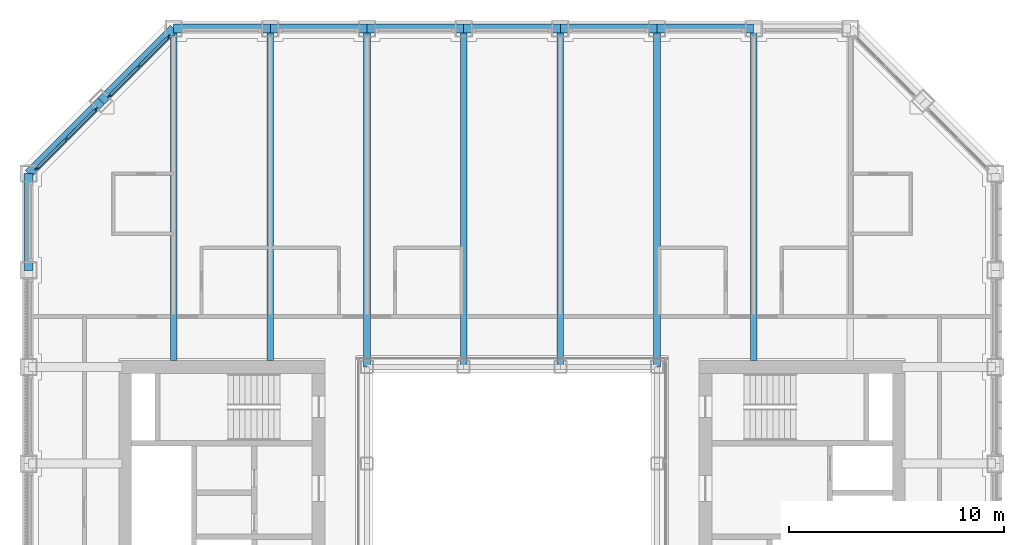
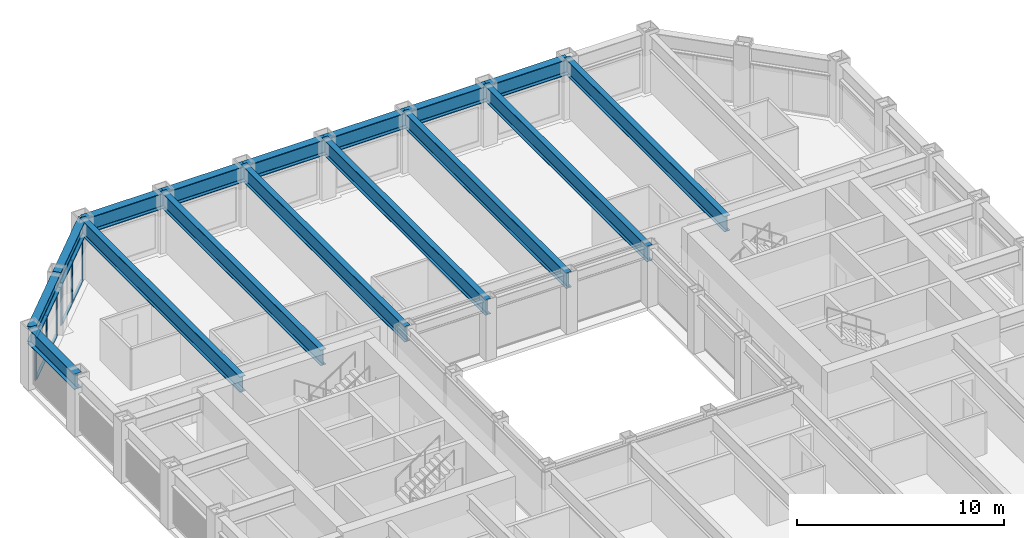
# One storey, part 7 of 17: 16 beams, 14 members, 2 elements without a shape of their own.
"""IFC4 building model written with IfcOpenShell, lengths in metres."""

import ifcopenshell
import ifcopenshell.guid

model = None  # the IFC model being written
_history = None  # IfcOwnerHistory: only IFC2X3 demands one
_inside = {}  # id of a spatial element -> (the spatial element, [elements in it])
_under = {}  # id of a project, library or spatial element -> (it, [spatial elements below it])
_declared = {}  # id of a project -> (the project, [libraries it declares])
_typed = {}  # id of a type object -> (the type object, [elements of that type])
_made_of = {}  # id of a material, layer set ... -> (it, [elements and type objects made of it])


def new_model(schema):
    """Start an empty IFC model of exactly this schema.

    Asked for "IFC4X3", IfcOpenShell would pick the latest addendum, in which some entities
    have other attributes; the version numbers below select the first issue.
    IFC2X3 requires an IfcOwnerHistory on every rooted entity: one is made here for all.
    """
    global model, _history
    if schema == "IFC4X3":
        model = ifcopenshell.file(schema_version=(4, 3, 0, 0))
    else:
        model = ifcopenshell.file(schema=schema)
    _inside.clear()
    _under.clear()
    _declared.clear()
    _typed.clear()
    _made_of.clear()
    _history = None
    if model.schema == "IFC2X3":
        org = make("IfcOrganization", Name="unknown")
        user = make(
            "IfcPersonAndOrganization",
            ThePerson=make("IfcPerson", FamilyName="unknown"),
            TheOrganization=org,
        )
        app = make(
            "IfcApplication",
            ApplicationDeveloper=org,
            Version="unknown",
            ApplicationFullName="unknown",
            ApplicationIdentifier="unknown",
        )
        _history = make(
            "IfcOwnerHistory",
            OwningUser=user,
            OwningApplication=app,
            ChangeAction="ADDED",
            CreationDate=0,
        )
    return model


def make(cls, **values):
    """One entity of the class cls with the attributes given. An attribute that is None is left unset."""
    return model.create_entity(
        cls, **{name: value for name, value in values.items() if value is not None}
    )


def rooted(cls, **values):
    """An entity with a GlobalId (a new one), such as an element, a storey or a relation."""
    return make(cls, GlobalId=ifcopenshell.guid.new(), OwnerHistory=_history, **values)


def si_unit(unit_type, name, prefix=None):
    """IfcSIUnit, for example si_unit("LENGTHUNIT", "METRE", prefix="MILLI")."""
    return make("IfcSIUnit", UnitType=unit_type, Prefix=prefix, Name=name)


def assignment(units):
    """IfcUnitAssignment: the units of a project."""
    return None if units is None else make("IfcUnitAssignment", Units=units)


def point(xyz):
    """IfcCartesianPoint."""
    return None if xyz is None else make("IfcCartesianPoint", Coordinates=xyz)


def direction(xyz):
    """IfcDirection."""
    return None if xyz is None else make("IfcDirection", DirectionRatios=xyz)


def frame(location, z_axis=None, x_axis=None):
    """IfcAxis2Placement3D, a coordinate frame: its origin and axes. An axis left out is left unset."""
    return make(
        "IfcAxis2Placement3D",
        Location=point(location),
        Axis=direction(z_axis),
        RefDirection=direction(x_axis),
    )


def frame_2d(location, x_axis=None):
    """IfcAxis2Placement2D, a coordinate frame in the plane: its origin and x axis."""
    return make(
        "IfcAxis2Placement2D", Location=point(location), RefDirection=direction(x_axis)
    )


def origin():
    """The frame at (0, 0, 0) with its axes left unset."""
    return frame((0.0, 0.0, 0.0))


def origin_2d():
    """The frame at (0, 0) in the plane with its x axis left unset."""
    return frame_2d((0.0, 0.0))


def place(relative_to, where):
    """IfcLocalPlacement: puts the frame where relative to a parent placement (None: the world)."""
    return make(
        "IfcLocalPlacement", PlacementRelTo=relative_to, RelativePlacement=where
    )


def context(
    kind, dimensions, precision=None, world=None, true_north=None, identifier=None
):
    """IfcGeometricRepresentationContext, for example the 3D "Model" context."""
    return make(
        "IfcGeometricRepresentationContext",
        ContextIdentifier=identifier,
        ContextType=kind,
        CoordinateSpaceDimension=dimensions,
        Precision=precision,
        WorldCoordinateSystem=world,
        TrueNorth=true_north,
    )


def subcontext(parent, identifier, kind, view, scale=None):
    """IfcGeometricRepresentationSubContext, for example "Body" below "Model"."""
    return make(
        "IfcGeometricRepresentationSubContext",
        ContextIdentifier=identifier,
        ContextType=kind,
        ParentContext=parent,
        TargetScale=scale,
        TargetView=view,
    )


def project(units=None, contexts=None):
    """IfcProject with its units and contexts."""
    return rooted(
        "IfcProject",
        Name="project",
        RepresentationContexts=contexts,
        UnitsInContext=assignment(units),
    )


def spatial(cls, under=None, at=None, **own):
    """A site, building, storey or space (cls), placed at a placement, below another one or the project."""
    s = rooted(cls, ObjectPlacement=at, **own)
    if under is not None:
        _under.setdefault(under.id(), (under, []))[1].append(s)
    return s


def profile(cls, at=None, kind="AREA", **sizes):
    """A parametric profile (cls). Its sizes go by their IFC names, for example OverallWidth=200.0."""
    return make(cls, ProfileType=kind, Position=at, **sizes)


def rectangle(**sizes):
    """IfcRectangleProfileDef."""
    return profile("IfcRectangleProfileDef", **sizes)


def i_section(**sizes):
    """IfcIShapeProfileDef."""
    return profile("IfcIShapeProfileDef", **sizes)


def extrude(swept, where, along, depth):
    """IfcExtrudedAreaSolid: the profile swept, set in the frame where, extruded along a direction by depth."""
    return make(
        "IfcExtrudedAreaSolid",
        SweptArea=swept,
        Position=where,
        ExtrudedDirection=direction(along),
        Depth=depth,
    )


def shape(context_of_items, identifier, shape_type, items):
    """IfcShapeRepresentation: the items that make up one representation, for example the "Body"."""
    return make(
        "IfcShapeRepresentation",
        ContextOfItems=context_of_items,
        RepresentationIdentifier=identifier,
        RepresentationType=shape_type,
        Items=items,
    )


def material(Name=None, Category=None):
    """IfcMaterial."""
    return make("IfcMaterial", Name=Name, Category=Category)


def material_profile(
    of_material, cross_section, Name=None, Category=None, Priority=None
):
    """IfcMaterialProfile: a cross section and its material."""
    return make(
        "IfcMaterialProfile",
        Name=Name,
        Material=of_material,
        Profile=cross_section,
        Priority=Priority,
        Category=Category,
    )


def profile_set(profiles, Name=None, composite=None):
    """IfcMaterialProfileSet."""
    return make(
        "IfcMaterialProfileSet",
        Name=Name,
        MaterialProfiles=profiles,
        CompositeProfile=composite,
    )


def made_of(thing, what):
    """Note that an element or type object is made of a material, layer set ...; save() writes the relation."""
    if what is not None:
        _made_of.setdefault(what.id(), (what, []))[1].append(thing)
    return thing


def type_object(cls, material=None, **own):
    """A type object (cls), such as IfcWallType, which elements share."""
    return made_of(rooted(cls, **own), material)


def element(
    cls,
    number,
    at=None,
    inside=None,
    cuts=None,
    type_object=None,
    material=None,
    context=None,
    identifier="Body",
    shape_type=None,
    held_by="IfcProductDefinitionShape",
    body=None,
    shapes=None,
    **own,
):
    """One element of the class cls, such as IfcWall. Its Tag is "e" and its number.

    at: its placement. inside: the storey or other place that contains it. cuts: it is an
    opening in that element (IfcRelVoidsElement). A single representation is given by context,
    identifier, shape_type and body (its items); several are given by shapes. held_by: the class
    of the entity that holds the representations. save() writes the other relations.
    """
    e = rooted(cls, Tag="e%d" % number, ObjectPlacement=at, **own)
    if body is not None:
        shapes = [shape(context, identifier, shape_type, body)]
    if shapes is not None:
        e.Representation = make(held_by, Representations=shapes)
    if inside is not None:
        _inside.setdefault(inside.id(), (inside, []))[1].append(e)
    if cuts is not None:
        rooted(
            "IfcRelVoidsElement", RelatingBuildingElement=cuts, RelatedOpeningElement=e
        )
    if type_object is not None:
        _typed.setdefault(type_object.id(), (type_object, []))[1].append(e)
    return made_of(e, material)


def aggregate(whole, parts):
    """IfcRelAggregates: a whole, such as a stair, and the parts it consists of."""
    return rooted("IfcRelAggregates", RelatingObject=whole, RelatedObjects=parts)


def save(model, path):
    """Write the relations noted so far, then the file.

    IfcRelAggregates (storeys below a building ...), IfcRelContainedInSpatialStructure (elements
    in a storey), IfcRelDefinesByType, IfcRelAssociatesMaterial and IfcRelDeclares: one each for
    every whole, place, type object, material and project.
    """
    for whole, parts in _under.values():
        aggregate(whole, parts)
    for where, things in _inside.values():
        rooted(
            "IfcRelContainedInSpatialStructure",
            RelatedElements=things,
            RelatingStructure=where,
        )
    for kind, things in _typed.values():
        rooted("IfcRelDefinesByType", RelatedObjects=things, RelatingType=kind)
    for what, things in _made_of.values():
        rooted("IfcRelAssociatesMaterial", RelatedObjects=things, RelatingMaterial=what)
    for by, libraries in _declared.values():
        rooted("IfcRelDeclares", RelatingContext=by, RelatedDefinitions=libraries)
    model.write(path)


model = new_model("IFC4")

# Units and contexts
model_context = context("Model", 3, precision=1e-05, world=origin(), true_north=direction((0.0, 1.0)))
body_context = subcontext(model_context, "Body", "Model", "MODEL_VIEW")
ifc_project = project(units=[si_unit("LENGTHUNIT", "METRE"), si_unit("AREAUNIT", "SQUARE_METRE"), si_unit("VOLUMEUNIT", "CUBIC_METRE"), si_unit("PLANEANGLEUNIT", "RADIAN"), si_unit("MASSUNIT", "GRAM", prefix="KILO")], contexts=[model_context])

# Site, building, storey
site_placement = place(None, origin())
site = spatial("IfcSite", under=ifc_project, at=site_placement, CompositionType="ELEMENT")
building_placement = place(site_placement, origin())
building = spatial("IfcBuilding", under=site, at=building_placement, Name="Msasa Ring Tower", CompositionType="ELEMENT")
storey_placement = place(building_placement, frame((0.0, 0.0, 132.800048828125)))
storey = spatial("IfcBuildingStorey", under=building, at=storey_placement, Name="L34", CompositionType="ELEMENT", Elevation=132.800048828125)

# Curtain wall, members
ifc_material_1 = material(Name="Aluminium curtain wall with clear glass", Category="aluminium")
curtain_wall_type = type_object("IfcCurtainWallType", Name="CW-C CHAMFER CORNER CURTAIN WALL", PredefinedType="NOTDEFINED", material=ifc_material_1)
curtain_wall_1_placement = place(storey_placement, origin())
curtain_wall_1 = element("IfcCurtainWall", 1, at=curtain_wall_1_placement, inside=storey, type_object=curtain_wall_type, Name="Chamfer corner curtain wall NW L34", PredefinedType="NOTDEFINED")
ifc_material_2 = material(Name="Aluminium mullion", Category="aluminium")
ifc_material_profile_1 = material_profile(ifc_material_2, rectangle(XDim=0.06494140625, YDim=0.179931640625, at=origin_2d()), Name="AL 65x180")
ifc_profile_set_1 = profile_set([ifc_material_profile_1], Name="Aluminium mullion")
member_type_1 = type_object("IfcMemberType", Name="CW-C MULLION 65x180", PredefinedType="MULLION", material=ifc_profile_set_1)
member_1_placement = place(storey_placement, frame((-19.36376953125, 18.744873046875, 0.0), z_axis=(0.0, 0.0, 1.0), x_axis=(0.707106781187, -0.707106781187, 0.0)))
member_1 = element("IfcMember", 2, at=member_1_placement, type_object=member_type_1, Name="CW-C mullion 1", PredefinedType="MULLION", context=body_context, shape_type="SweptSolid", body=[
    extrude(rectangle(XDim=0.06494140625, YDim=0.179931640625, at=origin_2d()), origin(), (0.0, 0.0, 1.0), 2.47900390625),
])
member_2_placement = place(storey_placement, frame((-20.74169921875, 17.36669921875, 0.0), z_axis=(0.0, 0.0, 1.0), x_axis=(0.707106781187, -0.707106781187, 0.0)))
member_2 = element("IfcMember", 3, at=member_2_placement, type_object=member_type_1, Name="CW-C mullion 2", PredefinedType="MULLION", context=body_context, shape_type="SweptSolid", body=[
    extrude(rectangle(XDim=0.06494140625, YDim=0.179931640625, at=origin_2d()), origin(), (0.0, 0.0, 1.0), 2.47900390625),
])
member_3_placement = place(storey_placement, frame((-22.119873046875, 15.98876953125, 0.0), z_axis=(0.0, 0.0, 1.0), x_axis=(0.707106781187, -0.707106781187, 0.0)))
member_3 = element("IfcMember", 4, at=member_3_placement, type_object=member_type_1, Name="CW-C mullion 3", PredefinedType="MULLION", context=body_context, shape_type="SweptSolid", body=[
    extrude(rectangle(XDim=0.06494140625, YDim=0.179931640625, at=origin_2d()), origin(), (0.0, 0.0, 1.0), 2.47900390625),
])

curtain_wall_2_placement = place(storey_placement, origin())
curtain_wall_2 = element("IfcCurtainWall", 5, at=curtain_wall_2_placement, inside=storey, type_object=curtain_wall_type, Name="Chamfer corner curtain wall NW L34", PredefinedType="NOTDEFINED")
member_4_placement = place(storey_placement, frame((-15.98876953125, 22.119873046875, 0.0), z_axis=(0.0, 0.0, 1.0), x_axis=(0.707106781187, -0.707106781187, 0.0)))
member_4 = element("IfcMember", 6, at=member_4_placement, type_object=member_type_1, Name="CW-C mullion 1", PredefinedType="MULLION", context=body_context, shape_type="SweptSolid", body=[
    extrude(rectangle(XDim=0.06494140625, YDim=0.179931640625, at=origin_2d()), origin(), (0.0, 0.0, 1.0), 2.47900390625),
])
member_5_placement = place(storey_placement, frame((-17.36669921875, 20.74169921875, 0.0), z_axis=(0.0, 0.0, 1.0), x_axis=(0.707106781187, -0.707106781187, 0.0)))
member_5 = element("IfcMember", 7, at=member_5_placement, type_object=member_type_1, Name="CW-C mullion 2", PredefinedType="MULLION", context=body_context, shape_type="SweptSolid", body=[
    extrude(rectangle(XDim=0.06494140625, YDim=0.179931640625, at=origin_2d()), origin(), (0.0, 0.0, 1.0), 2.47900390625),
])
member_6_placement = place(storey_placement, frame((-18.744873046875, 19.36376953125, 0.0), z_axis=(0.0, 0.0, 1.0), x_axis=(0.707106781187, -0.707106781187, 0.0)))
member_6 = element("IfcMember", 8, at=member_6_placement, type_object=member_type_1, Name="CW-C mullion 3", PredefinedType="MULLION", context=body_context, shape_type="SweptSolid", body=[
    extrude(rectangle(XDim=0.06494140625, YDim=0.179931640625, at=origin_2d()), origin(), (0.0, 0.0, 1.0), 2.47900390625),
])

# Member
ifc_material_3 = material(Name="Aluminium transom", Category="aluminium")
ifc_material_profile_2 = material_profile(ifc_material_3, rectangle(XDim=0.139892578125, YDim=0.06494140625, at=origin_2d()), Name="AL 65x140")
ifc_profile_set_2 = profile_set([ifc_material_profile_2], Name="Aluminium transom")
member_type_2 = type_object("IfcMemberType", Name="CW-C TRANSOM 65x140", PredefinedType="USERDEFINED", material=ifc_profile_set_2)
member_7_placement = place(storey_placement, frame((-19.38671875, 18.721923828125, 0.032470703125), z_axis=(-0.707106781187, -0.707106781187, 0.0), x_axis=(0.707106781187, -0.707106781187, 0.0)))
member_7 = element("IfcMember", 9, at=member_7_placement, type_object=member_type_2, Name="CW-C transom 1.1", ObjectType="TRANSOM", PredefinedType="USERDEFINED", context=body_context, shape_type="SweptSolid", body=[
    extrude(rectangle(XDim=0.139892578125, YDim=0.06494140625, at=origin_2d()), origin(), (0.0, 0.0, 1.0), 1.8837890625),
])

member_8_placement = place(storey_placement, frame((-19.38671875, 18.721923828125, 2.446533203125), z_axis=(-0.707106781187, -0.707106781187, 0.0), x_axis=(0.707106781187, -0.707106781187, 0.0)))
member_8 = element("IfcMember", 10, at=member_8_placement, type_object=member_type_2, Name="CW-C transom 1.2", ObjectType="TRANSOM", PredefinedType="USERDEFINED", context=body_context, shape_type="SweptSolid", body=[
    extrude(rectangle(XDim=0.139892578125, YDim=0.06494140625, at=origin_2d()), origin(), (0.0, 0.0, 1.0), 1.8837890625),
])

member_9_placement = place(storey_placement, frame((-20.764892578125, 17.34375, 0.032470703125), z_axis=(-0.707106781187, -0.707106781187, 0.0), x_axis=(0.707106781187, -0.707106781187, 0.0)))
member_9 = element("IfcMember", 11, at=member_9_placement, type_object=member_type_2, Name="CW-C transom 2.1", ObjectType="TRANSOM", PredefinedType="USERDEFINED", context=body_context, shape_type="SweptSolid", body=[
    extrude(rectangle(XDim=0.139892578125, YDim=0.06494140625, at=origin_2d()), origin(), (0.0, 0.0, 1.0), 1.8837890625),
])

member_10_placement = place(storey_placement, frame((-20.764892578125, 17.34375, 2.446533203125), z_axis=(-0.707106781187, -0.707106781187, 0.0), x_axis=(0.707106781187, -0.707106781187, 0.0)))
member_10 = element("IfcMember", 12, at=member_10_placement, type_object=member_type_2, Name="CW-C transom 2.2", ObjectType="TRANSOM", PredefinedType="USERDEFINED", context=body_context, shape_type="SweptSolid", body=[
    extrude(rectangle(XDim=0.139892578125, YDim=0.06494140625, at=origin_2d()), origin(), (0.0, 0.0, 1.0), 1.8837890625),
])

aggregate(curtain_wall_1, [member_1, member_2, member_3, member_7, member_8, member_9, member_10])

member_11_placement = place(storey_placement, frame((-16.01171875, 22.096923828125, 0.032470703125), z_axis=(-0.707106781187, -0.707106781187, 0.0), x_axis=(0.707106781187, -0.707106781187, 0.0)))
member_11 = element("IfcMember", 13, at=member_11_placement, type_object=member_type_2, Name="CW-C transom 1.1", ObjectType="TRANSOM", PredefinedType="USERDEFINED", context=body_context, shape_type="SweptSolid", body=[
    extrude(rectangle(XDim=0.139892578125, YDim=0.06494140625, at=origin_2d()), origin(), (0.0, 0.0, 1.0), 1.8837890625),
])

member_12_placement = place(storey_placement, frame((-16.01171875, 22.096923828125, 2.446533203125), z_axis=(-0.707106781187, -0.707106781187, 0.0), x_axis=(0.707106781187, -0.707106781187, 0.0)))
member_12 = element("IfcMember", 14, at=member_12_placement, type_object=member_type_2, Name="CW-C transom 1.2", ObjectType="TRANSOM", PredefinedType="USERDEFINED", context=body_context, shape_type="SweptSolid", body=[
    extrude(rectangle(XDim=0.139892578125, YDim=0.06494140625, at=origin_2d()), origin(), (0.0, 0.0, 1.0), 1.8837890625),
])

member_13_placement = place(storey_placement, frame((-17.389892578125, 20.71875, 0.032470703125), z_axis=(-0.707106781187, -0.707106781187, 0.0), x_axis=(0.707106781187, -0.707106781187, 0.0)))
member_13 = element("IfcMember", 15, at=member_13_placement, type_object=member_type_2, Name="CW-C transom 2.1", ObjectType="TRANSOM", PredefinedType="USERDEFINED", context=body_context, shape_type="SweptSolid", body=[
    extrude(rectangle(XDim=0.139892578125, YDim=0.06494140625, at=origin_2d()), origin(), (0.0, 0.0, 1.0), 1.8837890625),
])

member_14_placement = place(storey_placement, frame((-17.389892578125, 20.71875, 2.446533203125), z_axis=(-0.707106781187, -0.707106781187, 0.0), x_axis=(0.707106781187, -0.707106781187, 0.0)))
member_14 = element("IfcMember", 16, at=member_14_placement, type_object=member_type_2, Name="CW-C transom 2.2", ObjectType="TRANSOM", PredefinedType="USERDEFINED", context=body_context, shape_type="SweptSolid", body=[
    extrude(rectangle(XDim=0.139892578125, YDim=0.06494140625, at=origin_2d()), origin(), (0.0, 0.0, 1.0), 1.8837890625),
])

aggregate(curtain_wall_2, [member_4, member_5, member_6, member_11, member_12, member_13, member_14])

# Beams
ifc_material_4 = material(Name="Steel S355", Category="steel")
ifc_material_profile_3 = material_profile(ifc_material_4, i_section(OverallWidth=0.3076171875, OverallDepth=0.926513671875, WebThickness=0.01953125, FlangeThickness=0.031982421875, FilletRadius=0.01904296875, at=origin_2d()), Name="UB 914x305x289")
ifc_profile_set_3 = profile_set([ifc_material_profile_3], Name="Steel S355")
beam_type_1 = type_object("IfcBeamType", Name="FB3 UB 914x305x289", PredefinedType="BEAM", material=ifc_profile_set_3)
for number, where, z_axis, x_axis, name in (
    (17, (-15.75, 22.5, 2.936767578125), (0.0, -1.0, 0.0), (1.0, 0.0, 0.0), "Floor beam N-15.75 under L35"),
    (18, (-11.25, 22.5, 2.936767578125), (0.0, -1.0, 0.0), (1.0, 0.0, 0.0), "Floor beam N-11.25 under L35"),
):
    element("IfcBeam", number, at=place(storey_placement, frame(where, z_axis=z_axis, x_axis=x_axis)), inside=storey, type_object=beam_type_1, Name=name, PredefinedType="BEAM", context=body_context, shape_type="SweptSolid", body=[
        extrude(i_section(OverallWidth=0.3076171875, OverallDepth=0.926513671875, WebThickness=0.01953125, FlangeThickness=0.031982421875, FilletRadius=0.01904296875, at=origin_2d()), origin(), (0.0, 0.0, 1.0), 15.449951171875),
    ])
for number, where, z_axis, x_axis, name in (
    (19, (-6.75, 22.5, 2.936767578125), (0.0, -1.0, 0.0), (1.0, 0.0, 0.0), "Floor beam N-6.75 under L35"),
    (20, (-2.25, 22.5, 2.936767578125), (0.0, -1.0, 0.0), (1.0, 0.0, 0.0), "Floor beam N-2.25 under L35"),
    (21, (2.25, 22.5, 2.936767578125), (0.0, -1.0, 0.0), (1.0, 0.0, 0.0), "Floor beam N+2.25 under L35"),
    (22, (6.75, 22.5, 2.936767578125), (0.0, -1.0, 0.0), (1.0, 0.0, 0.0), "Floor beam N+6.75 under L35"),
):
    element("IfcBeam", number, at=place(storey_placement, frame(where, z_axis=z_axis, x_axis=x_axis)), inside=storey, type_object=beam_type_1, Name=name, PredefinedType="BEAM", context=body_context, shape_type="SweptSolid", body=[
        extrude(i_section(OverallWidth=0.3076171875, OverallDepth=0.926513671875, WebThickness=0.01953125, FlangeThickness=0.031982421875, FilletRadius=0.01904296875, at=origin_2d()), origin(), (0.0, 0.0, 1.0), 15.75),
    ])
beam_1_placement = place(storey_placement, frame((11.25, 22.5, 2.936767578125), z_axis=(0.0, -1.0, 0.0), x_axis=(1.0, 0.0, 0.0)))
element("IfcBeam", 23, at=beam_1_placement, inside=storey, type_object=beam_type_1, Name="Floor beam N+11.25 under L35", PredefinedType="BEAM", context=body_context, shape_type="SweptSolid", body=[
    extrude(i_section(OverallWidth=0.3076171875, OverallDepth=0.926513671875, WebThickness=0.01953125, FlangeThickness=0.031982421875, FilletRadius=0.01904296875, at=origin_2d()), origin(), (0.0, 0.0, 1.0), 15.449951171875),
])
ifc_material_5 = material(Name="Steel S355", Category="steel")
ifc_material_profile_4 = material_profile(ifc_material_5, i_section(OverallWidth=0.42041015625, OverallDepth=0.9208984375, WebThickness=0.021484375, FlangeThickness=0.03662109375, FilletRadius=0.024169921875, at=origin_2d()), Name="UB 914x419x388")
ifc_profile_set_4 = profile_set([ifc_material_profile_4], Name="Steel S355")
beam_type_2 = type_object("IfcBeamType", Name="SB1 UB 914x419x388", PredefinedType="SPANDREL", material=ifc_profile_set_4)
for number, where, z_axis, x_axis, name in (
    (24, (11.25, 22.5, 2.939453125), (-1.0, 0.0, 0.0), (0.0, -1.0, 0.0), "Spandrel N+11.25 to N+6.75 under L35"),
    (25, (6.75, 22.5, 2.939453125), (-1.0, 0.0, 0.0), (0.0, -1.0, 0.0), "Spandrel N+6.75 to N+2.25 under L35"),
    (26, (2.25, 22.5, 2.939453125), (-1.0, 0.0, 0.0), (0.0, -1.0, 0.0), "Spandrel N+2.25 to N-2.25 under L35"),
    (27, (-2.25, 22.5, 2.939453125), (-1.0, 0.0, 0.0), (0.0, -1.0, 0.0), "Spandrel N-2.25 to N-6.75 under L35"),
    (28, (-6.75, 22.5, 2.939453125), (-1.0, 0.0, 0.0), (0.0, -1.0, 0.0), "Spandrel N-6.75 to N-11.25 under L35"),
    (29, (-11.25, 22.5, 2.939453125), (-1.0, 0.0, 0.0), (0.0, -1.0, 0.0), "Spandrel N-11.25 to N-15.75 under L35"),
):
    element("IfcBeam", number, at=place(storey_placement, frame(where, z_axis=z_axis, x_axis=x_axis)), inside=storey, type_object=beam_type_2, Name=name, PredefinedType="SPANDREL", context=body_context, shape_type="SweptSolid", body=[
        extrude(i_section(OverallWidth=0.42041015625, OverallDepth=0.9208984375, WebThickness=0.021484375, FlangeThickness=0.03662109375, FilletRadius=0.024169921875, at=origin_2d()), origin(), (0.0, 0.0, 1.0), 4.5),
    ])
for number, where, z_axis, x_axis, name in (
    (30, (-15.75, 22.5, 2.939453125), (-0.707106781187, -0.707106781187, 0.0), (0.707106781187, -0.707106781187, 0.0), "Spandrel N-15.75 to NW under L35"),
    (31, (-19.125, 19.125, 2.939453125), (-0.707106781187, -0.707106781187, 0.0), (0.707106781187, -0.707106781187, 0.0), "Spandrel NW to W+15.75 under L35"),
):
    element("IfcBeam", number, at=place(storey_placement, frame(where, z_axis=z_axis, x_axis=x_axis)), inside=storey, type_object=beam_type_2, Name=name, PredefinedType="SPANDREL", context=body_context, shape_type="SweptSolid", body=[
        extrude(i_section(OverallWidth=0.42041015625, OverallDepth=0.9208984375, WebThickness=0.021484375, FlangeThickness=0.03662109375, FilletRadius=0.024169921875, at=origin_2d()), origin(), (0.0, 0.0, 1.0), 4.77294921875),
    ])
beam_2_placement = place(storey_placement, frame((-22.5, 15.75, 2.939453125), z_axis=(0.0, -1.0, 0.0), x_axis=(1.0, 0.0, 0.0)))
element("IfcBeam", 32, at=beam_2_placement, inside=storey, type_object=beam_type_2, Name="Spandrel W+15.75 to W+11.25 under L35", PredefinedType="SPANDREL", context=body_context, shape_type="SweptSolid", body=[
    extrude(i_section(OverallWidth=0.42041015625, OverallDepth=0.9208984375, WebThickness=0.021484375, FlangeThickness=0.03662109375, FilletRadius=0.024169921875, at=origin_2d()), origin(), (0.0, 0.0, 1.0), 4.5),
])

save(model, "model.ifc")
